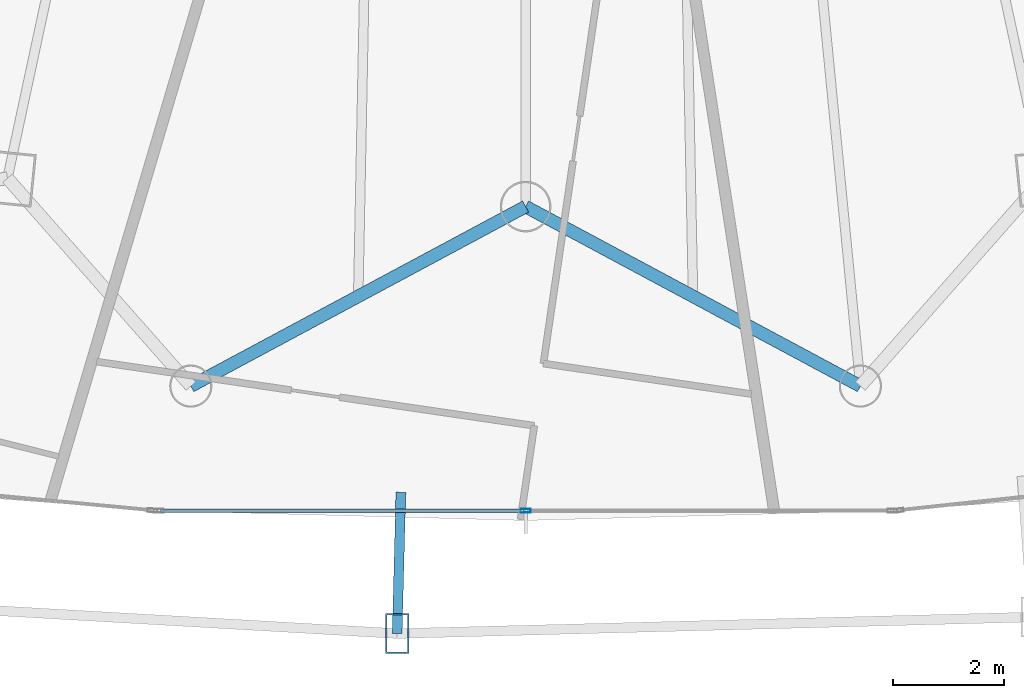
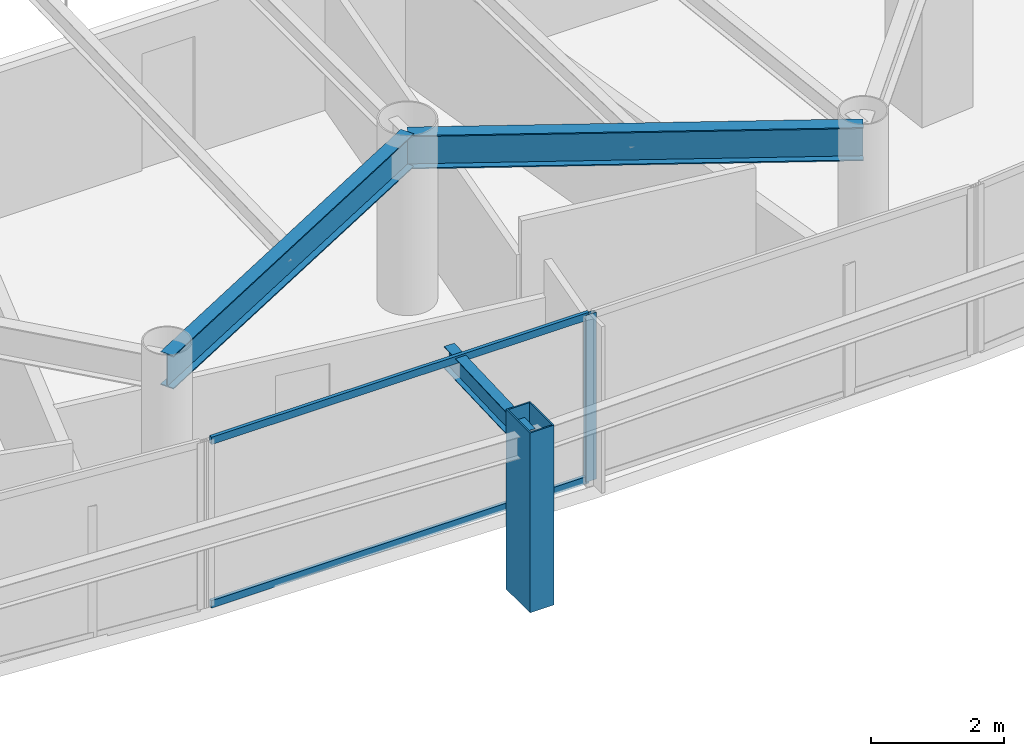
# One storey, part 7 of 35: 4 members, 3 beams, 1 element without a shape of its own.
"""IFC4 building model written with IfcOpenShell, lengths in metres."""

from ifc_helpers import new_model, si_unit, direction, frame, origin, origin_2d, place, context, subcontext, project, spatial, hollow_rectangle, i_section, extrude, material, layer, layer_set, material_profile, profile_set, type_object, element, aggregate, save


model = new_model("IFC4")

# Units and contexts
model_context = context("Model", 3, precision=1e-05, world=origin(), true_north=direction((0.0, 1.0)))
body_context = subcontext(model_context, "Body", "Model", "MODEL_VIEW")
ifc_project = project(units=[si_unit("LENGTHUNIT", "METRE"), si_unit("AREAUNIT", "SQUARE_METRE"), si_unit("VOLUMEUNIT", "CUBIC_METRE"), si_unit("PLANEANGLEUNIT", "RADIAN"), si_unit("MASSUNIT", "GRAM", prefix="KILO")], contexts=[model_context])

# Site, building, storey
site_placement = place(None, origin())
site = spatial("IfcSite", under=ifc_project, at=site_placement, CompositionType="ELEMENT")
building_placement = place(site_placement, origin())
building = spatial("IfcBuilding", under=site, at=building_placement, Name="Orvanel Arch Residences", CompositionType="ELEMENT")
storey_placement = place(building_placement, frame((0.0, 0.0, 33.5)))
storey = spatial("IfcBuildingStorey", under=building, at=storey_placement, Name="L08", CompositionType="ELEMENT", Elevation=33.5)

# Member
ifc_material_1 = material(Name="Structural steel AS/NZS 3678 Grade 350", Category="steel")
ifc_material_profile_1 = material_profile(ifc_material_1, hollow_rectangle(XDim=0.419921875, YDim=0.719970703125, WallThickness=0.02490234375, at=origin_2d()), Name="RHS720x420x25")
ifc_profile_set_1 = profile_set([ifc_material_profile_1], Name="Structural steel AS/NZS 3678 Grade 350")
member_type_1 = type_object("IfcMemberType", Name="CH-720RHS-EXT", PredefinedType="CHORD", material=ifc_profile_set_1)
member_1_placement = place(storey_placement, frame((30.681884765625, -0.861083984375, 0.0), z_axis=(0.0, 0.0, 1.0), x_axis=(1.0, 0.0, 0.0)))
element("IfcMember", 1, at=member_1_placement, inside=storey, type_object=member_type_1, Name="L08 Outer Perimeter Frame Post 06", PredefinedType="CHORD", context=body_context, shape_type="SweptSolid", body=[
    extrude(hollow_rectangle(XDim=0.419921875, YDim=0.719970703125, WallThickness=0.02490234375, at=origin_2d()), origin(), (0.0, 0.0, 1.0), 3.300048828125),
])

# Curtain wall, member
ifc_material_2 = material(Name="Bronze-anodised aluminium AA6063-T6", Category="aluminium")
ifc_layer = layer(ifc_material_2, 0.179931640625)
ifc_layer_set = layer_set([ifc_layer], Name="Bronze-anodised aluminium AA6063-T6")
curtain_wall_type = type_object("IfcCurtainWallType", Name="CW2-LOW-SYS", PredefinedType="NOTDEFINED", material=ifc_layer_set)
curtain_wall_placement = place(storey_placement, origin())
curtain_wall = element("IfcCurtainWall", 2, at=curtain_wall_placement, inside=storey, type_object=curtain_wall_type, Name="L08 CW2-LOW-SYS Unitised Curtain Wall", PredefinedType="NOTDEFINED")
ifc_material_profile_2 = material_profile(ifc_material_2, hollow_rectangle(XDim=0.070068359375, YDim=0.179931640625, WallThickness=0.00439453125, at=origin_2d()), Name="ALU180x70x4.5")
ifc_profile_set_2 = profile_set([ifc_material_profile_2], Name="Bronze-anodised aluminium AA6063-T6")
member_type_2 = type_object("IfcMemberType", Name="MUL-180x70", PredefinedType="MULLION", material=ifc_profile_set_2)
member_2_placement = place(storey_placement, frame((33.0, 1.35595703125, 0.0), z_axis=(0.0, 0.0, 1.0), x_axis=(0.0, 1.0, 0.0)))
member_2 = element("IfcMember", 3, at=member_2_placement, type_object=member_type_2, Name="CW-S2 mullion 2", PredefinedType="MULLION", context=body_context, shape_type="SweptSolid", body=[
    extrude(hollow_rectangle(XDim=0.070068359375, YDim=0.179931640625, WallThickness=0.00439453125, at=origin_2d()), origin(), (0.0, 0.0, 1.0), 3.06005859375),
])

# Beams
ifc_material_3 = material(Name="Structural steel AS/NZS 3679.1 Grade 300 (300 MPa)", Category="steel")
ifc_material_profile_3 = material_profile(ifc_material_3, i_section(OverallWidth=0.177978515625, OverallDepth=0.406005859375, WebThickness=0.0078125, FlangeThickness=0.0126953125, at=origin_2d()), Name="410UB59.7")
ifc_profile_set_3 = profile_set([ifc_material_profile_3], Name="Structural steel AS/NZS 3679.1 Grade 300 (300 MPa)")
beam_type_1 = type_object("IfcBeamType", Name="OB-410UB-EXT", PredefinedType="SPANDREL", material=ifc_profile_set_3)
beam_placement = place(storey_placement, frame((30.7490234375, 1.68798828125, 2.85693359375), z_axis=(-0.026329342377, -0.999653322772, 0.0), x_axis=(0.999653322772, -0.026329342377, 0.0)))
element("IfcBeam", 4, at=beam_placement, inside=storey, type_object=beam_type_1, Name="L08 Outer Frame Radial Tie Beam 06", PredefinedType="SPANDREL", context=body_context, shape_type="SweptSolid", body=[
    extrude(i_section(OverallWidth=0.177978515625, OverallDepth=0.406005859375, WebThickness=0.0078125, FlangeThickness=0.0126953125, at=origin_2d()), origin(), (0.0, 0.0, 1.0), 2.550048828125),
])
ifc_material_profile_4 = material_profile(ifc_material_3, i_section(OverallWidth=0.22900390625, OverallDepth=0.612060546875, WebThickness=0.011962890625, FlangeThickness=0.01953125, at=origin_2d()), Name="610UB125")
ifc_profile_set_4 = profile_set([ifc_material_profile_4], Name="Structural steel AS/NZS 3679.1 Grade 300 (300 MPa)")
beam_type_2 = type_object("IfcBeamType", Name="SP-610UB", PredefinedType="SPANDREL", material=ifc_profile_set_4)
for number, where, z_axis, x_axis, name in (
    (5, (26.9580078125, 3.60498046875, 2.75390625), (0.881344400551, 0.472474388319, 0.0), (-0.472474388319, 0.881344400551, 0.0), "L08 Perimeter Spandrel Beam 06"),
    (6, (33.0, 6.843994140625, 2.75390625), (0.881344400551, -0.472474388319, 0.0), (0.472474388319, 0.881344400551, 0.0), "L08 Perimeter Spandrel Beam 07"),
):
    element("IfcBeam", number, at=place(storey_placement, frame(where, z_axis=z_axis, x_axis=x_axis)), inside=storey, type_object=beam_type_2, Name=name, PredefinedType="SPANDREL", context=body_context, shape_type="SweptSolid", body=[
        extrude(i_section(OverallWidth=0.22900390625, OverallDepth=0.612060546875, WebThickness=0.011962890625, FlangeThickness=0.01953125, at=origin_2d()), origin(), (0.0, 0.0, 1.0), 6.85546875),
    ])

# Member
ifc_material_profile_5 = material_profile(ifc_material_2, hollow_rectangle(XDim=0.06005859375, YDim=0.135009765625, WallThickness=0.00390625, at=origin_2d()), Name="ALU135x60x4")
ifc_profile_set_5 = profile_set([ifc_material_profile_5], Name="Bronze-anodised aluminium AA6063-T6")
member_type_3 = type_object("IfcMemberType", Name="TRN-135x60", PredefinedType="USERDEFINED", material=ifc_profile_set_5)
member_3_placement = place(storey_placement, frame((26.412109375, 1.35595703125, 0.030029296875), z_axis=(1.0, 0.0, 0.0), x_axis=(0.0, 1.0, 0.0)))
member_3 = element("IfcMember", 7, at=member_3_placement, type_object=member_type_3, Name="CW-S2 transom 1.1", ObjectType="TRANSOM", PredefinedType="USERDEFINED", context=body_context, shape_type="SweptSolid", body=[
    extrude(hollow_rectangle(XDim=0.06005859375, YDim=0.135009765625, WallThickness=0.00390625, at=origin_2d()), origin(), (0.0, 0.0, 1.0), 6.552978515625),
])

member_4_placement = place(storey_placement, frame((26.412109375, 1.35595703125, 3.030029296875), z_axis=(1.0, 0.0, 0.0), x_axis=(0.0, 1.0, 0.0)))
member_4 = element("IfcMember", 8, at=member_4_placement, type_object=member_type_3, Name="CW-S2 transom 1.2", ObjectType="TRANSOM", PredefinedType="USERDEFINED", context=body_context, shape_type="SweptSolid", body=[
    extrude(hollow_rectangle(XDim=0.06005859375, YDim=0.135009765625, WallThickness=0.00390625, at=origin_2d()), origin(), (0.0, 0.0, 1.0), 6.552978515625),
])

aggregate(curtain_wall, [member_2, member_3, member_4])

save(model, "model.ifc")
